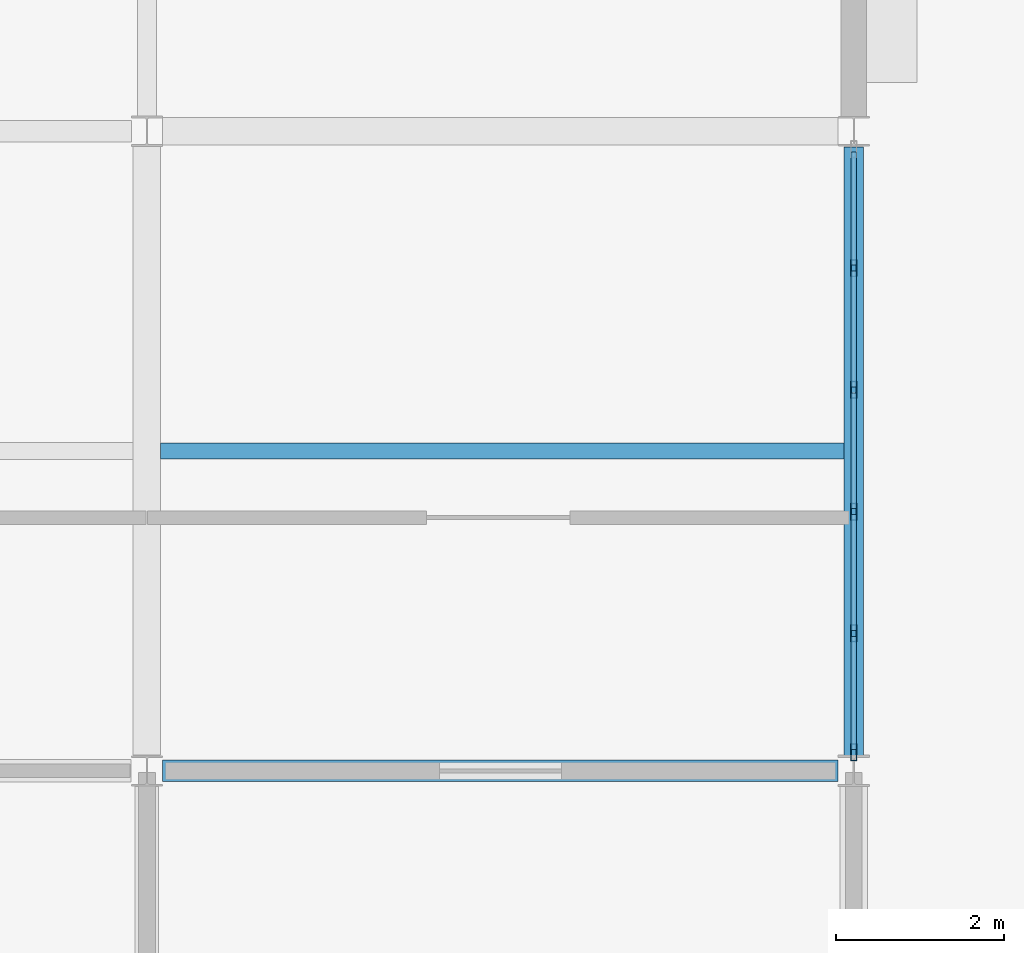
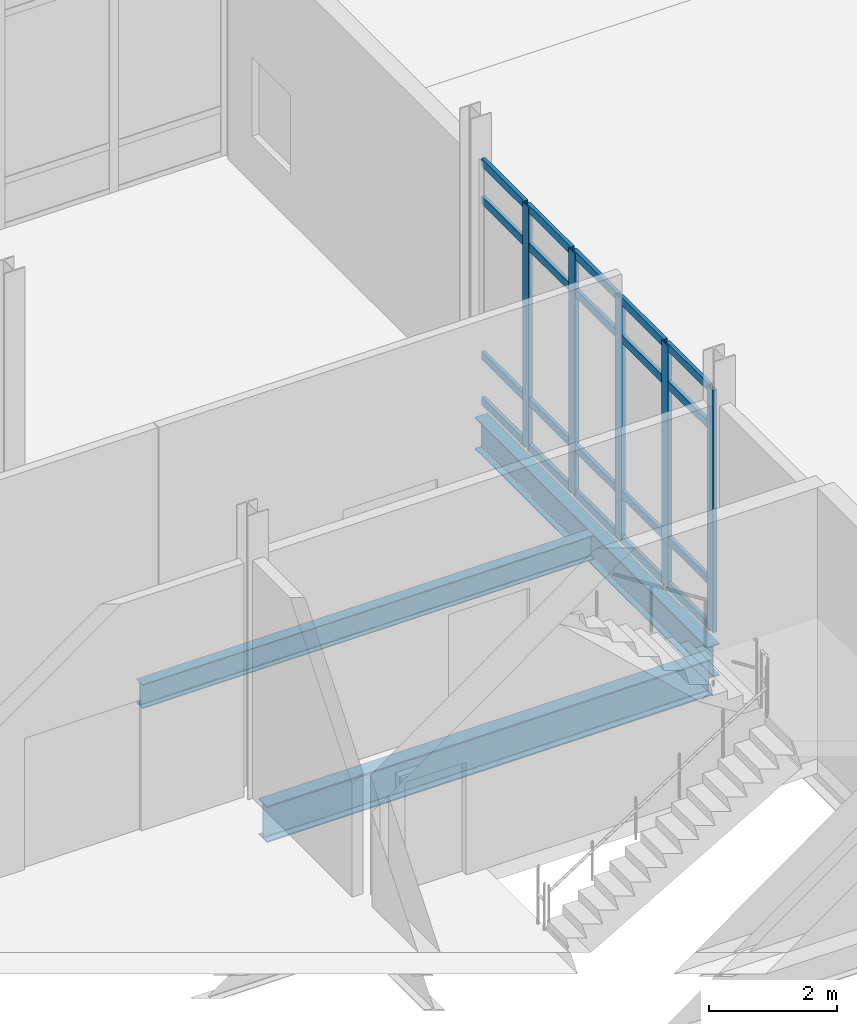
# One storey, part 32 of 229: 25 members, 3 beams, 1 element without a shape of its own.
"""IFC4 building model written with IfcOpenShell, lengths in metres."""

from ifc_helpers import new_model, si_unit, direction, frame, origin, origin_2d, place, context, subcontext, project, spatial, hollow_rectangle, i_section, extrude, material, layer, layer_set, material_profile, profile_set, type_object, element, aggregate, save


model = new_model("IFC4")

# Units and contexts
model_context = context("Model", 3, precision=1e-05, world=origin(), true_north=direction((0.0, 1.0)))
body_context = subcontext(model_context, "Body", "Model", "MODEL_VIEW")
ifc_project = project(units=[si_unit("LENGTHUNIT", "METRE"), si_unit("AREAUNIT", "SQUARE_METRE"), si_unit("VOLUMEUNIT", "CUBIC_METRE"), si_unit("PLANEANGLEUNIT", "RADIAN"), si_unit("MASSUNIT", "GRAM", prefix="KILO")], contexts=[model_context])

# Site, building, storey
site_placement = place(None, origin())
site = spatial("IfcSite", under=ifc_project, at=site_placement, CompositionType="ELEMENT")
building_placement = place(site_placement, origin())
building = spatial("IfcBuilding", under=site, at=building_placement, Name="Calvrana Isthmian Art Gallery", CompositionType="ELEMENT")
storey_placement = place(building_placement, origin())
storey = spatial("IfcBuildingStorey", under=building, at=storey_placement, Name="L00", CompositionType="ELEMENT", Elevation=0.0)

# Beams
ifc_material_1 = material(Name="Steel ASTM A992 Gr 50", Category="steel")
ifc_material_profile_1 = material_profile(ifc_material_1, i_section(OverallWidth=0.22802734375, OverallDepth=0.60693359375, WebThickness=0.01123046875, FlangeThickness=0.017333984375, FilletRadius=0.02197265625, at=origin_2d()), Name="W24X76")
ifc_profile_set_1 = profile_set([ifc_material_profile_1], Name="Steel ASTM A992 Gr 50")
beam_type_1 = type_object("IfcBeamType", Name="BM-G-W24X76", PredefinedType="BEAM", material=ifc_profile_set_1)
beam_1_placement = place(storey_placement, frame((38.39990234375, 54.583984375, -0.58837890625), z_axis=(0.0, 1.0, 0.0), x_axis=(-1.0, 0.0, 0.0)))
element("IfcBeam", 1, at=beam_1_placement, inside=storey, type_object=beam_type_1, Name="Girder Y L00 06/H-I", PredefinedType="BEAM", context=body_context, shape_type="SweptSolid", body=[
    extrude(i_section(OverallWidth=0.22802734375, OverallDepth=0.60693359375, WebThickness=0.01123046875, FlangeThickness=0.017333984375, FilletRadius=0.02197265625, at=origin_2d()), origin(), (0.0, 0.0, 1.0), 7.2294921875),
])
ifc_material_profile_2 = material_profile(ifc_material_1, i_section(OverallWidth=0.257080078125, OverallDepth=0.693115234375, WebThickness=0.014404296875, FlangeThickness=0.023681640625, FilletRadius=0.02392578125, at=origin_2d()), Name="W27X114")
ifc_profile_set_2 = profile_set([ifc_material_profile_2], Name="Steel ASTM A992 Gr 50")
beam_type_2 = type_object("IfcBeamType", Name="BM-G-W27X114", PredefinedType="BEAM", material=ifc_profile_set_2)
beam_2_placement = place(storey_placement, frame((30.1865234375, 54.39990234375, -0.631591796875), z_axis=(1.0, 0.0, 0.0), x_axis=(0.0, 1.0, 0.0)))
element("IfcBeam", 2, at=beam_2_placement, inside=storey, type_object=beam_type_2, Name="Girder X L00 05-06/H", PredefinedType="BEAM", context=body_context, shape_type="SweptSolid", body=[
    extrude(i_section(OverallWidth=0.257080078125, OverallDepth=0.693115234375, WebThickness=0.014404296875, FlangeThickness=0.023681640625, FilletRadius=0.02392578125, at=origin_2d()), origin(), (0.0, 0.0, 1.0), 8.02685546875),
])
ifc_material_profile_3 = material_profile(ifc_material_1, i_section(OverallWidth=0.19091796875, OverallDepth=0.45703125, WebThickness=0.009033203125, FlangeThickness=0.014404296875, FilletRadius=0.02001953125, at=origin_2d()), Name="W18X50")
ifc_profile_set_3 = profile_set([ifc_material_profile_3], Name="Steel ASTM A992 Gr 50")
beam_type_3 = type_object("IfcBeamType", Name="BM-J-W18X50", PredefinedType="JOIST", material=ifc_profile_set_3)
beam_3_placement = place(storey_placement, frame((30.16259765625, 58.199951171875, -0.513427734375), z_axis=(1.0, 0.0, 0.0), x_axis=(0.0, 1.0, 0.0)))
element("IfcBeam", 3, at=beam_3_placement, inside=storey, type_object=beam_type_3, Name="Composite joist L00 bay 04-07", PredefinedType="JOIST", context=body_context, shape_type="SweptSolid", body=[
    extrude(i_section(OverallWidth=0.19091796875, OverallDepth=0.45703125, WebThickness=0.009033203125, FlangeThickness=0.014404296875, FilletRadius=0.02001953125, at=origin_2d()), origin(), (0.0, 0.0, 1.0), 8.123291015625),
])

# Curtain wall, members
ifc_material_2 = material(Name="Anodized bronze aluminium 6063-T6", Category="aluminium")
ifc_layer = layer(ifc_material_2, 0.179931640625, Name="Anodized bronze aluminium 6063-T6")
ifc_layer_set = layer_set([ifc_layer], Name="Anodized bronze aluminium 6063-T6")
curtain_wall_type = type_object("IfcCurtainWallType", Name="CW-UNIT-072X46", PredefinedType="USERDEFINED", material=ifc_layer_set)
curtain_wall_placement = place(storey_placement, origin())
curtain_wall = element("IfcCurtainWall", 4, at=curtain_wall_placement, inside=storey, type_object=curtain_wall_type, Name="Curtain wall CW-057", ObjectType="UNITISED CURTAIN WALL", PredefinedType="USERDEFINED")
ifc_material_profile_4 = material_profile(ifc_material_2, hollow_rectangle(XDim=0.070068359375, YDim=0.199951171875, WallThickness=0.0048828125, at=origin_2d()), Name="CWM70X200")
ifc_profile_set_4 = profile_set([ifc_material_profile_4], Name="Anodized bronze aluminium 6063-T6")
member_type_1 = type_object("IfcMemberType", Name="CWM-CWM70X200", PredefinedType="MULLION", material=ifc_profile_set_4)
member_1_placement = place(storey_placement, frame((38.39990234375, 60.375, 0.0), z_axis=(0.0, 0.0, 1.0), x_axis=(1.0, 0.0, 0.0)))
member_1 = element("IfcMember", 5, at=member_1_placement, type_object=member_type_1, Name="CW-057 mullion 2", PredefinedType="MULLION", context=body_context, shape_type="SweptSolid", body=[
    extrude(hollow_rectangle(XDim=0.070068359375, YDim=0.199951171875, WallThickness=0.0048828125, at=origin_2d()), origin(), (0.0, 0.0, 1.0), 4.60693359375),
])
member_2_placement = place(storey_placement, frame((38.39990234375, 58.927734375, 0.0), z_axis=(0.0, 0.0, 1.0), x_axis=(1.0, 0.0, 0.0)))
member_2 = element("IfcMember", 6, at=member_2_placement, type_object=member_type_1, Name="CW-057 mullion 3", PredefinedType="MULLION", context=body_context, shape_type="SweptSolid", body=[
    extrude(hollow_rectangle(XDim=0.070068359375, YDim=0.199951171875, WallThickness=0.0048828125, at=origin_2d()), origin(), (0.0, 0.0, 1.0), 4.60693359375),
])
member_3_placement = place(storey_placement, frame((38.39990234375, 57.480712890625, 0.0), z_axis=(0.0, 0.0, 1.0), x_axis=(1.0, 0.0, 0.0)))
member_3 = element("IfcMember", 7, at=member_3_placement, type_object=member_type_1, Name="CW-057 mullion 4", PredefinedType="MULLION", context=body_context, shape_type="SweptSolid", body=[
    extrude(hollow_rectangle(XDim=0.070068359375, YDim=0.199951171875, WallThickness=0.0048828125, at=origin_2d()), origin(), (0.0, 0.0, 1.0), 4.60693359375),
])
member_4_placement = place(storey_placement, frame((38.39990234375, 56.03369140625, 0.0), z_axis=(0.0, 0.0, 1.0), x_axis=(1.0, 0.0, 0.0)))
member_4 = element("IfcMember", 8, at=member_4_placement, type_object=member_type_1, Name="CW-057 mullion 5", PredefinedType="MULLION", context=body_context, shape_type="SweptSolid", body=[
    extrude(hollow_rectangle(XDim=0.070068359375, YDim=0.199951171875, WallThickness=0.0048828125, at=origin_2d()), origin(), (0.0, 0.0, 1.0), 4.60693359375),
])
member_5_placement = place(storey_placement, frame((38.39990234375, 54.62158203125, 0.0), z_axis=(0.0, 0.0, 1.0), x_axis=(1.0, 0.0, 0.0)))
member_5 = element("IfcMember", 9, at=member_5_placement, type_object=member_type_1, Name="CW-057 mullion 6", PredefinedType="MULLION", context=body_context, shape_type="SweptSolid", body=[
    extrude(hollow_rectangle(XDim=0.070068359375, YDim=0.199951171875, WallThickness=0.0048828125, at=origin_2d()), origin(), (0.0, 0.0, 1.0), 4.60693359375),
])
ifc_material_profile_5 = material_profile(ifc_material_2, hollow_rectangle(XDim=0.06494140625, YDim=0.14990234375, WallThickness=0.00390625, at=origin_2d()), Name="CWT65X150")
ifc_profile_set_5 = profile_set([ifc_material_profile_5], Name="Anodized bronze aluminium 6063-T6")
member_type_2 = type_object("IfcMemberType", Name="CWT-CWT65X150", PredefinedType="USERDEFINED", material=ifc_profile_set_5)
member_6_placement = place(storey_placement, frame((38.39990234375, 61.751953125, 0.032470703125), z_axis=(0.0, -1.0, 0.0), x_axis=(1.0, 0.0, 0.0)))
member_6 = element("IfcMember", 10, at=member_6_placement, type_object=member_type_2, Name="CW-057 transom 1.1", ObjectType="TRANSOM", PredefinedType="USERDEFINED", context=body_context, shape_type="SweptSolid", body=[
    extrude(hollow_rectangle(XDim=0.06494140625, YDim=0.14990234375, WallThickness=0.00390625, at=origin_2d()), origin(), (0.0, 0.0, 1.0), 1.342041015625),
])
member_7_placement = place(storey_placement, frame((38.39990234375, 61.751953125, 0.89990234375), z_axis=(0.0, -1.0, 0.0), x_axis=(1.0, 0.0, 0.0)))
member_7 = element("IfcMember", 11, at=member_7_placement, type_object=member_type_2, Name="CW-057 transom 1.2", ObjectType="TRANSOM", PredefinedType="USERDEFINED", context=body_context, shape_type="SweptSolid", body=[
    extrude(hollow_rectangle(XDim=0.06494140625, YDim=0.14990234375, WallThickness=0.00390625, at=origin_2d()), origin(), (0.0, 0.0, 1.0), 1.342041015625),
])
member_8_placement = place(storey_placement, frame((38.39990234375, 61.751953125, 3.85693359375), z_axis=(0.0, -1.0, 0.0), x_axis=(1.0, 0.0, 0.0)))
member_8 = element("IfcMember", 12, at=member_8_placement, type_object=member_type_2, Name="CW-057 transom 1.3", ObjectType="TRANSOM", PredefinedType="USERDEFINED", context=body_context, shape_type="SweptSolid", body=[
    extrude(hollow_rectangle(XDim=0.06494140625, YDim=0.14990234375, WallThickness=0.00390625, at=origin_2d()), origin(), (0.0, 0.0, 1.0), 1.342041015625),
])
member_9_placement = place(storey_placement, frame((38.39990234375, 61.751953125, 4.574462890625), z_axis=(0.0, -1.0, 0.0), x_axis=(1.0, 0.0, 0.0)))
member_9 = element("IfcMember", 13, at=member_9_placement, type_object=member_type_2, Name="CW-057 transom 1.4", ObjectType="TRANSOM", PredefinedType="USERDEFINED", context=body_context, shape_type="SweptSolid", body=[
    extrude(hollow_rectangle(XDim=0.06494140625, YDim=0.14990234375, WallThickness=0.00390625, at=origin_2d()), origin(), (0.0, 0.0, 1.0), 1.342041015625),
])
member_10_placement = place(storey_placement, frame((38.39990234375, 60.33984375, 0.032470703125), z_axis=(0.0, -1.0, 0.0), x_axis=(1.0, 0.0, 0.0)))
member_10 = element("IfcMember", 14, at=member_10_placement, type_object=member_type_2, Name="CW-057 transom 2.1", ObjectType="TRANSOM", PredefinedType="USERDEFINED", context=body_context, shape_type="SweptSolid", body=[
    extrude(hollow_rectangle(XDim=0.06494140625, YDim=0.14990234375, WallThickness=0.00390625, at=origin_2d()), origin(), (0.0, 0.0, 1.0), 1.376953125),
])
member_11_placement = place(storey_placement, frame((38.39990234375, 60.33984375, 0.89990234375), z_axis=(0.0, -1.0, 0.0), x_axis=(1.0, 0.0, 0.0)))
member_11 = element("IfcMember", 15, at=member_11_placement, type_object=member_type_2, Name="CW-057 transom 2.2", ObjectType="TRANSOM", PredefinedType="USERDEFINED", context=body_context, shape_type="SweptSolid", body=[
    extrude(hollow_rectangle(XDim=0.06494140625, YDim=0.14990234375, WallThickness=0.00390625, at=origin_2d()), origin(), (0.0, 0.0, 1.0), 1.376953125),
])
member_12_placement = place(storey_placement, frame((38.39990234375, 60.33984375, 3.85693359375), z_axis=(0.0, -1.0, 0.0), x_axis=(1.0, 0.0, 0.0)))
member_12 = element("IfcMember", 16, at=member_12_placement, type_object=member_type_2, Name="CW-057 transom 2.3", ObjectType="TRANSOM", PredefinedType="USERDEFINED", context=body_context, shape_type="SweptSolid", body=[
    extrude(hollow_rectangle(XDim=0.06494140625, YDim=0.14990234375, WallThickness=0.00390625, at=origin_2d()), origin(), (0.0, 0.0, 1.0), 1.376953125),
])
member_13_placement = place(storey_placement, frame((38.39990234375, 60.33984375, 4.574462890625), z_axis=(0.0, -1.0, 0.0), x_axis=(1.0, 0.0, 0.0)))
member_13 = element("IfcMember", 17, at=member_13_placement, type_object=member_type_2, Name="CW-057 transom 2.4", ObjectType="TRANSOM", PredefinedType="USERDEFINED", context=body_context, shape_type="SweptSolid", body=[
    extrude(hollow_rectangle(XDim=0.06494140625, YDim=0.14990234375, WallThickness=0.00390625, at=origin_2d()), origin(), (0.0, 0.0, 1.0), 1.376953125),
])
member_14_placement = place(storey_placement, frame((38.39990234375, 58.892822265625, 0.032470703125), z_axis=(0.0, -1.0, 0.0), x_axis=(1.0, 0.0, 0.0)))
member_14 = element("IfcMember", 18, at=member_14_placement, type_object=member_type_2, Name="CW-057 transom 3.1", ObjectType="TRANSOM", PredefinedType="USERDEFINED", context=body_context, shape_type="SweptSolid", body=[
    extrude(hollow_rectangle(XDim=0.06494140625, YDim=0.14990234375, WallThickness=0.00390625, at=origin_2d()), origin(), (0.0, 0.0, 1.0), 1.377197265625),
])
member_15_placement = place(storey_placement, frame((38.39990234375, 58.892822265625, 0.89990234375), z_axis=(0.0, -1.0, 0.0), x_axis=(1.0, 0.0, 0.0)))
member_15 = element("IfcMember", 19, at=member_15_placement, type_object=member_type_2, Name="CW-057 transom 3.2", ObjectType="TRANSOM", PredefinedType="USERDEFINED", context=body_context, shape_type="SweptSolid", body=[
    extrude(hollow_rectangle(XDim=0.06494140625, YDim=0.14990234375, WallThickness=0.00390625, at=origin_2d()), origin(), (0.0, 0.0, 1.0), 1.377197265625),
])
member_16_placement = place(storey_placement, frame((38.39990234375, 58.892822265625, 3.85693359375), z_axis=(0.0, -1.0, 0.0), x_axis=(1.0, 0.0, 0.0)))
member_16 = element("IfcMember", 20, at=member_16_placement, type_object=member_type_2, Name="CW-057 transom 3.3", ObjectType="TRANSOM", PredefinedType="USERDEFINED", context=body_context, shape_type="SweptSolid", body=[
    extrude(hollow_rectangle(XDim=0.06494140625, YDim=0.14990234375, WallThickness=0.00390625, at=origin_2d()), origin(), (0.0, 0.0, 1.0), 1.377197265625),
])
member_17_placement = place(storey_placement, frame((38.39990234375, 58.892822265625, 4.574462890625), z_axis=(0.0, -1.0, 0.0), x_axis=(1.0, 0.0, 0.0)))
member_17 = element("IfcMember", 21, at=member_17_placement, type_object=member_type_2, Name="CW-057 transom 3.4", ObjectType="TRANSOM", PredefinedType="USERDEFINED", context=body_context, shape_type="SweptSolid", body=[
    extrude(hollow_rectangle(XDim=0.06494140625, YDim=0.14990234375, WallThickness=0.00390625, at=origin_2d()), origin(), (0.0, 0.0, 1.0), 1.377197265625),
])
member_18_placement = place(storey_placement, frame((38.39990234375, 57.44580078125, 0.032470703125), z_axis=(0.0, -1.0, 0.0), x_axis=(1.0, 0.0, 0.0)))
member_18 = element("IfcMember", 22, at=member_18_placement, type_object=member_type_2, Name="CW-057 transom 4.1", ObjectType="TRANSOM", PredefinedType="USERDEFINED", context=body_context, shape_type="SweptSolid", body=[
    extrude(hollow_rectangle(XDim=0.06494140625, YDim=0.14990234375, WallThickness=0.00390625, at=origin_2d()), origin(), (0.0, 0.0, 1.0), 1.377197265625),
])
member_19_placement = place(storey_placement, frame((38.39990234375, 57.44580078125, 0.89990234375), z_axis=(0.0, -1.0, 0.0), x_axis=(1.0, 0.0, 0.0)))
member_19 = element("IfcMember", 23, at=member_19_placement, type_object=member_type_2, Name="CW-057 transom 4.2", ObjectType="TRANSOM", PredefinedType="USERDEFINED", context=body_context, shape_type="SweptSolid", body=[
    extrude(hollow_rectangle(XDim=0.06494140625, YDim=0.14990234375, WallThickness=0.00390625, at=origin_2d()), origin(), (0.0, 0.0, 1.0), 1.377197265625),
])
member_20_placement = place(storey_placement, frame((38.39990234375, 57.44580078125, 3.85693359375), z_axis=(0.0, -1.0, 0.0), x_axis=(1.0, 0.0, 0.0)))
member_20 = element("IfcMember", 24, at=member_20_placement, type_object=member_type_2, Name="CW-057 transom 4.3", ObjectType="TRANSOM", PredefinedType="USERDEFINED", context=body_context, shape_type="SweptSolid", body=[
    extrude(hollow_rectangle(XDim=0.06494140625, YDim=0.14990234375, WallThickness=0.00390625, at=origin_2d()), origin(), (0.0, 0.0, 1.0), 1.377197265625),
])
member_21_placement = place(storey_placement, frame((38.39990234375, 57.44580078125, 4.574462890625), z_axis=(0.0, -1.0, 0.0), x_axis=(1.0, 0.0, 0.0)))
member_21 = element("IfcMember", 25, at=member_21_placement, type_object=member_type_2, Name="CW-057 transom 4.4", ObjectType="TRANSOM", PredefinedType="USERDEFINED", context=body_context, shape_type="SweptSolid", body=[
    extrude(hollow_rectangle(XDim=0.06494140625, YDim=0.14990234375, WallThickness=0.00390625, at=origin_2d()), origin(), (0.0, 0.0, 1.0), 1.377197265625),
])
member_22_placement = place(storey_placement, frame((38.39990234375, 55.99853515625, 0.032470703125), z_axis=(0.0, -1.0, 0.0), x_axis=(1.0, 0.0, 0.0)))
member_22 = element("IfcMember", 26, at=member_22_placement, type_object=member_type_2, Name="CW-057 transom 5.1", ObjectType="TRANSOM", PredefinedType="USERDEFINED", context=body_context, shape_type="SweptSolid", body=[
    extrude(hollow_rectangle(XDim=0.06494140625, YDim=0.14990234375, WallThickness=0.00390625, at=origin_2d()), origin(), (0.0, 0.0, 1.0), 1.342041015625),
])
member_23_placement = place(storey_placement, frame((38.39990234375, 55.99853515625, 0.89990234375), z_axis=(0.0, -1.0, 0.0), x_axis=(1.0, 0.0, 0.0)))
member_23 = element("IfcMember", 27, at=member_23_placement, type_object=member_type_2, Name="CW-057 transom 5.2", ObjectType="TRANSOM", PredefinedType="USERDEFINED", context=body_context, shape_type="SweptSolid", body=[
    extrude(hollow_rectangle(XDim=0.06494140625, YDim=0.14990234375, WallThickness=0.00390625, at=origin_2d()), origin(), (0.0, 0.0, 1.0), 1.342041015625),
])
member_24_placement = place(storey_placement, frame((38.39990234375, 55.99853515625, 3.85693359375), z_axis=(0.0, -1.0, 0.0), x_axis=(1.0, 0.0, 0.0)))
member_24 = element("IfcMember", 28, at=member_24_placement, type_object=member_type_2, Name="CW-057 transom 5.3", ObjectType="TRANSOM", PredefinedType="USERDEFINED", context=body_context, shape_type="SweptSolid", body=[
    extrude(hollow_rectangle(XDim=0.06494140625, YDim=0.14990234375, WallThickness=0.00390625, at=origin_2d()), origin(), (0.0, 0.0, 1.0), 1.342041015625),
])
member_25_placement = place(storey_placement, frame((38.39990234375, 55.99853515625, 4.574462890625), z_axis=(0.0, -1.0, 0.0), x_axis=(1.0, 0.0, 0.0)))
member_25 = element("IfcMember", 29, at=member_25_placement, type_object=member_type_2, Name="CW-057 transom 5.4", ObjectType="TRANSOM", PredefinedType="USERDEFINED", context=body_context, shape_type="SweptSolid", body=[
    extrude(hollow_rectangle(XDim=0.06494140625, YDim=0.14990234375, WallThickness=0.00390625, at=origin_2d()), origin(), (0.0, 0.0, 1.0), 1.342041015625),
])
aggregate(curtain_wall, [member_1, member_2, member_3, member_4, member_5, member_6, member_7, member_8, member_9, member_10, member_11, member_12, member_13, member_14, member_15, member_16, member_17, member_18, member_19, member_20, member_21, member_22, member_23, member_24, member_25])

save(model, "model.ifc")
